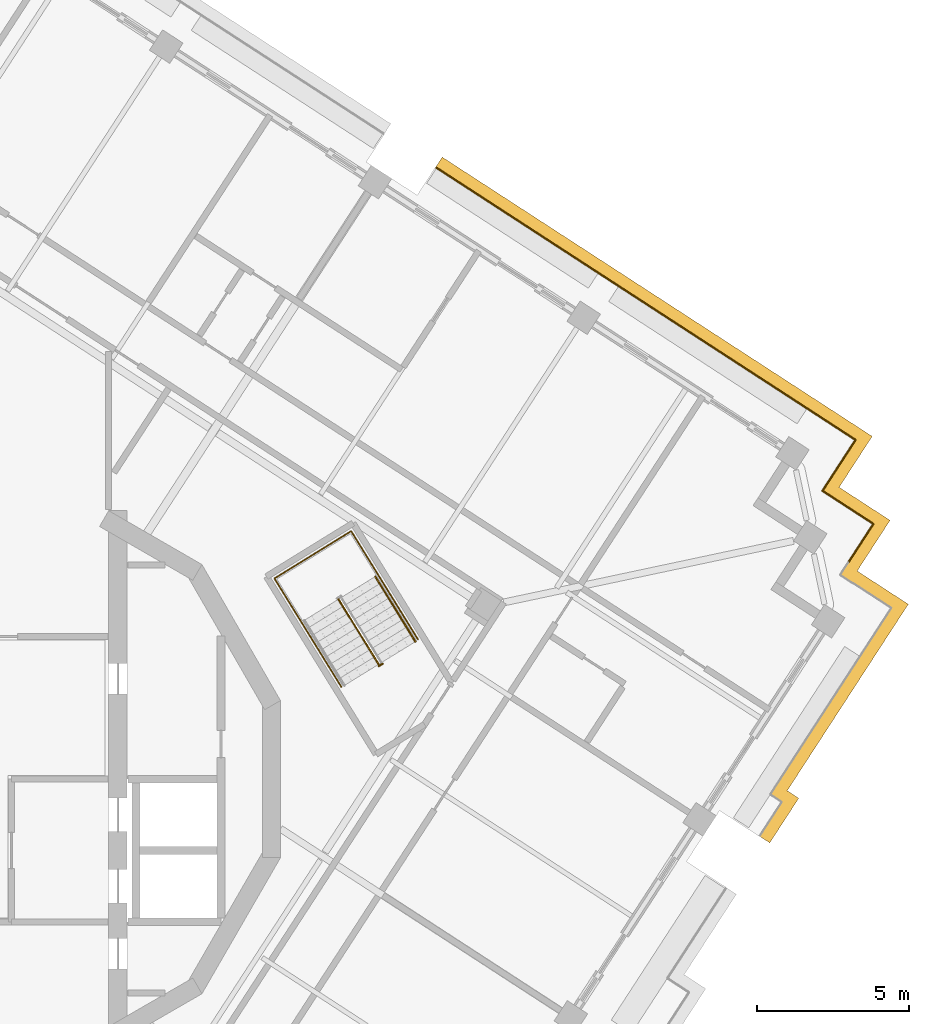
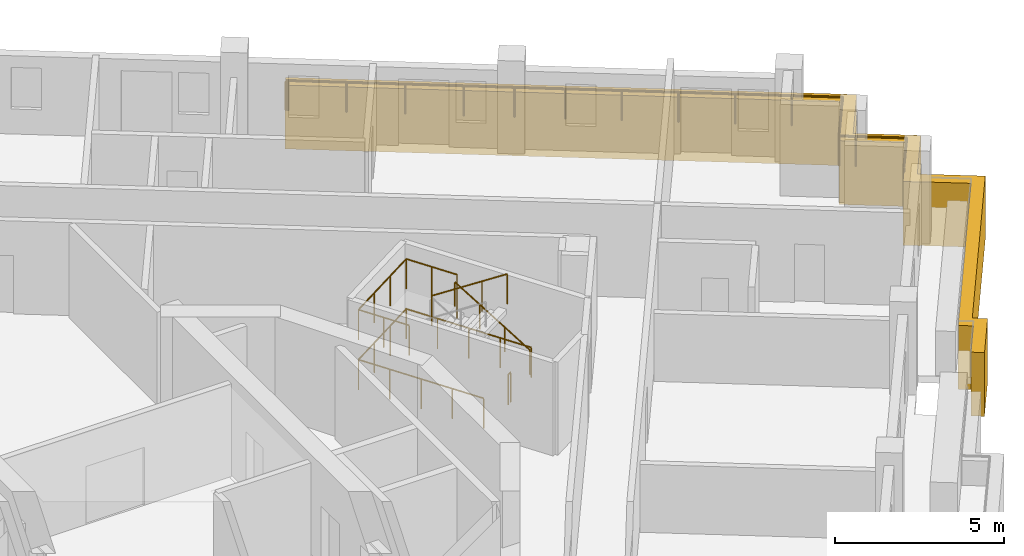
# One storey, part 14 of 15: 6 railings, 1 covering.
"""IFC4 building model written with IfcOpenShell, lengths in metres."""

from ifc_helpers import new_model, si_unit, direction, frame, origin, origin_2d, place, context, subcontext, project, spatial, polyline, circle, outline, extrude, material, type_object, element, save


model = new_model("IFC4")

# Units and contexts
model_context = context("Model", 3, precision=1e-05, world=origin(), true_north=direction((0.0, 1.0)))
body_context = subcontext(model_context, "Body", "Model", "MODEL_VIEW")
ifc_project = project(units=[si_unit("LENGTHUNIT", "METRE"), si_unit("AREAUNIT", "SQUARE_METRE"), si_unit("VOLUMEUNIT", "CUBIC_METRE"), si_unit("PLANEANGLEUNIT", "RADIAN"), si_unit("MASSUNIT", "GRAM", prefix="KILO")], contexts=[model_context])

# Site, building, storey
site_placement = place(None, origin())
site = spatial("IfcSite", under=ifc_project, at=site_placement, CompositionType="ELEMENT")
building_placement = place(site_placement, origin())
building = spatial("IfcBuilding", under=site, at=building_placement, Name="Cantera Rosa Tower", CompositionType="ELEMENT")
storey_placement = place(building_placement, frame((0.0, 0.0, 282.89990234375)))
storey = spatial("IfcBuildingStorey", under=building, at=storey_placement, Name="L64", CompositionType="ELEMENT", Elevation=282.89990234375)

# Railings
ifc_material_1 = material(Name="Stainless steel and laminated glass", Category="steel")
railing_type_1 = type_object("IfcRailingType", Name="GUARD 1100", PredefinedType="BALUSTRADE", material=ifc_material_1)
railing_1_placement = place(storey_placement, frame((14.7880859375, 20.14599609375, 0.0)))
element("IfcRailing", 1, at=railing_1_placement, inside=storey, type_object=railing_type_1, Name="GUARD L64-10", PredefinedType="BALUSTRADE", context=body_context, shape_type="SweptSolid", body=[
    extrude(circle(Radius=0.030029296875, at=origin_2d()), frame((0.0, 0.0, 1.070068359375), z_axis=(0.838443616301, -0.544988350595, 0.0), x_axis=(0.544988350595, 0.838443616301, 0.0)), (0.0, 0.0, 1.0), 0.06982421875),
    extrude(circle(Radius=0.030029296875, at=origin_2d()), frame((0.05859375, -0.0380859375, 1.070068359375), z_axis=(0.838657010828, -0.544659910576, 0.0), x_axis=(0.544659910576, 0.838657010828, 0.0)), (0.0, 0.0, 1.0), 5.2001953125),
    extrude(circle(Radius=0.030029296875, at=origin_2d()), frame((4.419677734375, -2.870361328125, 1.070068359375), z_axis=(0.8387001057, -0.544593548161, 0.0), x_axis=(0.544593548161, 0.8387001057, 0.0)), (0.0, 0.0, 1.0), 3.0),
    extrude(circle(Radius=0.030029296875, at=origin_2d()), frame((6.935791015625, -4.504150390625, 1.070068359375), z_axis=(0.838666659313, -0.544645053734, 0.0), x_axis=(0.544645053734, 0.838666659313, 0.0)), (0.0, 0.0, 1.0), 6.7001953125),
    extrude(circle(Radius=0.030029296875, at=origin_2d()), frame((12.554931640625, -8.1533203125, 1.070068359375), z_axis=(0.838651824232, -0.544667896716, 0.0), x_axis=(0.544667896716, 0.838651824232, 0.0)), (0.0, 0.0, 1.0), 1.499755859375),
    extrude(circle(Radius=0.030029296875, at=origin_2d()), frame((13.812744140625, -8.97021484375, 1.070068359375), z_axis=(-0.544593548161, -0.8387001057, 0.0), x_axis=(0.8387001057, -0.544593548161, 0.0)), (0.0, 0.0, 1.0), 1.5),
    extrude(circle(Radius=0.030029296875, at=origin_2d()), frame((12.995849609375, -10.228271484375, 1.070068359375), z_axis=(-0.544627753175, -0.83867789435, 0.0), x_axis=(0.83867789435, -0.544627753175, 0.0)), (0.0, 0.0, 1.0), 0.499755859375),
    extrude(circle(Radius=0.030029296875, at=origin_2d()), frame((12.7236328125, -10.6474609375, 1.070068359375), z_axis=(0.838454772945, -0.544971186143, 0.0), x_axis=(0.544971186143, 0.838454772945, 0.0)), (0.0, 0.0, 1.0), 0.5),
    extrude(circle(Radius=0.030029296875, at=origin_2d()), frame((13.142822265625, -10.919921875, 1.070068359375), z_axis=(0.8387001057, -0.544593548161, 0.0), x_axis=(0.544593548161, 0.8387001057, 0.0)), (0.0, 0.0, 1.0), 1.5),
    extrude(circle(Radius=0.030029296875, at=origin_2d()), frame((14.40087890625, -11.73681640625, 1.070068359375), z_axis=(-0.544593548161, -0.8387001057, 0.0), x_axis=(0.8387001057, -0.544593548161, 0.0)), (0.0, 0.0, 1.0), 1.5),
    extrude(circle(Radius=0.02490234375, at=origin_2d()), origin(), (0.0, 0.0, 1.0), 1.0400390625),
    extrude(circle(Radius=0.02490234375, at=origin_2d()), frame((0.05859375, -0.0380859375, 0.0)), (0.0, 0.0, 1.0), 1.0400390625),
    extrude(circle(Radius=0.02490234375, at=origin_2d()), frame((1.51220703125, -0.982177734375, 0.0)), (0.0, 0.0, 1.0), 1.0400390625),
    extrude(circle(Radius=0.02490234375, at=origin_2d()), frame((2.966064453125, -1.92626953125, 0.0)), (0.0, 0.0, 1.0), 1.0400390625),
    extrude(circle(Radius=0.02490234375, at=origin_2d()), frame((4.419677734375, -2.870361328125, 0.0)), (0.0, 0.0, 1.0), 1.0400390625),
    extrude(circle(Radius=0.02490234375, at=origin_2d()), frame((5.677734375, -3.687255859375, 0.0)), (0.0, 0.0, 1.0), 1.0400390625),
    extrude(circle(Radius=0.02490234375, at=origin_2d()), frame((6.935791015625, -4.504150390625, 0.0)), (0.0, 0.0, 1.0), 1.0400390625),
    extrude(circle(Radius=0.02490234375, at=origin_2d()), frame((8.340576171875, -5.41650390625, 0.0)), (0.0, 0.0, 1.0), 1.0400390625),
    extrude(circle(Radius=0.02490234375, at=origin_2d()), frame((9.745361328125, -6.32861328125, 0.0)), (0.0, 0.0, 1.0), 1.0400390625),
    extrude(circle(Radius=0.02490234375, at=origin_2d()), frame((11.150146484375, -7.240966796875, 0.0)), (0.0, 0.0, 1.0), 1.0400390625),
    extrude(circle(Radius=0.02490234375, at=origin_2d()), frame((12.554931640625, -8.1533203125, 0.0)), (0.0, 0.0, 1.0), 1.0400390625),
    extrude(circle(Radius=0.02490234375, at=origin_2d()), frame((13.812744140625, -8.97021484375, 0.0)), (0.0, 0.0, 1.0), 1.0400390625),
    extrude(circle(Radius=0.02490234375, at=origin_2d()), frame((12.995849609375, -10.228271484375, 0.0)), (0.0, 0.0, 1.0), 1.0400390625),
    extrude(circle(Radius=0.02490234375, at=origin_2d()), frame((12.7236328125, -10.6474609375, 0.0)), (0.0, 0.0, 1.0), 1.0400390625),
    extrude(circle(Radius=0.02490234375, at=origin_2d()), frame((13.142822265625, -10.919921875, 0.0)), (0.0, 0.0, 1.0), 1.0400390625),
    extrude(circle(Radius=0.02490234375, at=origin_2d()), frame((14.40087890625, -11.73681640625, 0.0)), (0.0, 0.0, 1.0), 1.0400390625),
    extrude(circle(Radius=0.02490234375, at=origin_2d()), frame((13.583984375, -12.994873046875, 0.0)), (0.0, 0.0, 1.0), 1.0400390625),
])
ifc_material_2 = material(Name="Steel S355J2 (EN 10025-2)", Category="steel")
railing_type_2 = type_object("IfcRailingType", Name="STAIR GUARD 1100", PredefinedType="GUARDRAIL", material=ifc_material_2)
railing_2_placement = place(storey_placement, frame((11.5703125, 5.927490234375, 1.97998046875)))
element("IfcRailing", 2, at=railing_2_placement, inside=storey, type_object=railing_type_2, Name="L64 ST-51 stair guard 2", PredefinedType="GUARDRAIL", context=body_context, shape_type="SweptSolid", body=[
    extrude(circle(Radius=0.02392578125, at=origin_2d()), frame((0.0, 0.0, 1.076171875), z_axis=(0.441609067481, -0.715913574058, 0.540785711718), x_axis=(0.851102330005, 0.524999832248, 0.0)), (0.0, 0.0, 1.0), 2.995849609375),
    extrude(circle(Radius=0.02099609375, at=origin_2d()), origin(), (0.0, 0.0, 1.0), 1.052001953125),
    extrude(circle(Radius=0.02099609375, at=origin_2d()), frame((0.44091796875, -0.71484375, 0.5400390625)), (0.0, 0.0, 1.0), 1.052001953125),
    extrude(circle(Radius=0.02099609375, at=origin_2d()), frame((0.882080078125, -1.429931640625, 1.080078125)), (0.0, 0.0, 1.0), 1.052001953125),
    extrude(circle(Radius=0.02099609375, at=origin_2d()), frame((1.322998046875, -2.144775390625, 1.6201171875)), (0.0, 0.0, 1.0), 1.052001953125),
])
railing_3_placement = place(storey_placement, frame((13.025146484375, 3.80517578125, 0.0)))
element("IfcRailing", 3, at=railing_3_placement, inside=storey, type_object=railing_type_2, Name="L64 ST-51 stair guard 3", PredefinedType="GUARDRAIL", context=body_context, shape_type="SweptSolid", body=[
    extrude(circle(Radius=0.02392578125, at=origin_2d()), frame((0.0, 0.0, 1.076171875), z_axis=(-0.851546489876, -0.524279100842, 0.0), x_axis=(0.524279100842, -0.851546489876, 0.0)), (0.0, 0.0, 1.0), 0.14990234375),
    extrude(circle(Radius=0.02099609375, at=origin_2d()), origin(), (0.0, 0.0, 1.0), 1.052001953125),
    extrude(circle(Radius=0.02099609375, at=origin_2d()), frame((-0.127685546875, -0.07861328125, 0.0)), (0.0, 0.0, 1.0), 1.052001953125),
])
railing_4_placement = place(storey_placement, frame((14.192626953125, 4.59814453125, 0.0)))
element("IfcRailing", 4, at=railing_4_placement, inside=storey, type_object=railing_type_2, Name="L64 ST-51 stair guard 4", PredefinedType="GUARDRAIL", context=body_context, shape_type="SweptSolid", body=[
    extrude(circle(Radius=0.02392578125, at=origin_2d()), frame((0.0, 0.0, 1.076171875), z_axis=(-0.524976478809, 0.851116735059, 0.0), x_axis=(-0.851116735059, -0.524976478809, 0.0)), (0.0, 0.0, 1.0), 4.197998046875),
    extrude(circle(Radius=0.02392578125, at=origin_2d()), frame((-2.203857421875, 3.572998046875, 1.076171875), z_axis=(-0.851132917336, -0.524950242429, 0.0), x_axis=(0.524950242429, -0.851132917336, 0.0)), (0.0, 0.0, 1.0), 2.969970703125),
    extrude(circle(Radius=0.02392578125, at=origin_2d()), frame((-4.731689453125, 2.013916015625, 1.076171875), z_axis=(0.524976478809, -0.851116735059, 0.0), x_axis=(0.851116735059, 0.524976478809, 0.0)), (0.0, 0.0, 1.0), 4.197998046875),
    extrude(circle(Radius=0.02099609375, at=origin_2d()), origin(), (0.0, 0.0, 1.0), 1.052001953125),
    extrude(circle(Radius=0.02099609375, at=origin_2d()), frame((-0.551025390625, 0.893310546875, 0.0)), (0.0, 0.0, 1.0), 1.052001953125),
    extrude(circle(Radius=0.02099609375, at=origin_2d()), frame((-1.10205078125, 1.78662109375, 0.0)), (0.0, 0.0, 1.0), 1.052001953125),
    extrude(circle(Radius=0.02099609375, at=origin_2d()), frame((-1.65283203125, 2.6796875, 0.0)), (0.0, 0.0, 1.0), 1.052001953125),
    extrude(circle(Radius=0.02099609375, at=origin_2d()), frame((-2.203857421875, 3.572998046875, 0.0)), (0.0, 0.0, 1.0), 1.052001953125),
    extrude(circle(Radius=0.02099609375, at=origin_2d()), frame((-3.04638671875, 3.05322265625, 0.0)), (0.0, 0.0, 1.0), 1.052001953125),
    extrude(circle(Radius=0.02099609375, at=origin_2d()), frame((-3.88916015625, 2.53369140625, 0.0)), (0.0, 0.0, 1.0), 1.052001953125),
    extrude(circle(Radius=0.02099609375, at=origin_2d()), frame((-4.731689453125, 2.013916015625, 0.0)), (0.0, 0.0, 1.0), 1.052001953125),
    extrude(circle(Radius=0.02099609375, at=origin_2d()), frame((-4.1806640625, 1.12060546875, 0.0)), (0.0, 0.0, 1.0), 1.052001953125),
    extrude(circle(Radius=0.02099609375, at=origin_2d()), frame((-3.6298828125, 0.2275390625, 0.0)), (0.0, 0.0, 1.0), 1.052001953125),
    extrude(circle(Radius=0.02099609375, at=origin_2d()), frame((-3.078857421875, -0.665771484375, 0.0)), (0.0, 0.0, 1.0), 1.052001953125),
    extrude(circle(Radius=0.02099609375, at=origin_2d()), frame((-2.52783203125, -1.55908203125, 0.0)), (0.0, 0.0, 1.0), 1.052001953125),
])
railing_5_placement = place(storey_placement, frame((12.88232421875, 6.72265625, 1.800048828125)))
element("IfcRailing", 5, at=railing_5_placement, inside=storey, type_object=railing_type_2, Name="L64 ST-51 stair guard 5", PredefinedType="GUARDRAIL", context=body_context, shape_type="SweptSolid", body=[
    extrude(circle(Radius=0.02392578125, at=origin_2d()), frame((0.0, 0.0, 1.076171875), z_axis=(-0.525025534833, 0.851086474909, 0.0), x_axis=(-0.851086474909, -0.525025534833, 0.0)), (0.0, 0.0, 1.0), 1.701904296875),
    extrude(circle(Radius=0.02392578125, at=origin_2d()), frame((-0.8935546875, 1.448486328125, 1.076171875), z_axis=(-0.851132917336, -0.524950242429, 0.0), x_axis=(0.524950242429, -0.851132917336, 0.0)), (0.0, 0.0, 1.0), 2.969970703125),
    extrude(circle(Radius=0.02392578125, at=origin_2d()), frame((-3.42138671875, -0.110595703125, 1.076171875), z_axis=(0.524961441845, -0.851126009811, 0.0), x_axis=(0.851126009811, 0.524961441845, 0.0)), (0.0, 0.0, 1.0), 1.7021484375),
    extrude(circle(Radius=0.02099609375, at=origin_2d()), origin(), (0.0, 0.0, 1.0), 1.052001953125),
    extrude(circle(Radius=0.02099609375, at=origin_2d()), frame((-0.44677734375, 0.72412109375, 0.0)), (0.0, 0.0, 1.0), 1.052001953125),
    extrude(circle(Radius=0.02099609375, at=origin_2d()), frame((-0.8935546875, 1.448486328125, 0.0)), (0.0, 0.0, 1.0), 1.052001953125),
    extrude(circle(Radius=0.02099609375, at=origin_2d()), frame((-1.736083984375, 0.9287109375, 0.0)), (0.0, 0.0, 1.0), 1.052001953125),
    extrude(circle(Radius=0.02099609375, at=origin_2d()), frame((-2.578857421875, 0.4091796875, 0.0)), (0.0, 0.0, 1.0), 1.052001953125),
    extrude(circle(Radius=0.02099609375, at=origin_2d()), frame((-3.42138671875, -0.110595703125, 0.0)), (0.0, 0.0, 1.0), 1.052001953125),
    extrude(circle(Radius=0.02099609375, at=origin_2d()), frame((-2.974609375, -0.8349609375, 0.0)), (0.0, 0.0, 1.0), 1.052001953125),
    extrude(circle(Radius=0.02099609375, at=origin_2d()), frame((-2.52783203125, -1.559326171875, 0.0)), (0.0, 0.0, 1.0), 1.052001953125),
])
ifc_material_3 = material(Name="Steel S355J2 (EN 10025-2)", Category="steel")
railing_type_3 = type_object("IfcRailingType", Name="STAIR HANDRAIL 900", PredefinedType="HANDRAIL", material=ifc_material_3)
railing_6_placement = place(storey_placement, frame((14.105224609375, 4.5302734375, 0.18017578125)))
element("IfcRailing", 6, at=railing_6_placement, inside=storey, type_object=railing_type_3, Name="L64 ST-51 stair handrail 1", PredefinedType="HANDRAIL", context=body_context, shape_type="SweptSolid", body=[
    extrude(circle(Radius=0.02392578125, at=origin_2d()), frame((0.0, 0.0, 0.8759765625), z_axis=(-0.441628529057, 0.715945124149, 0.540728047664), x_axis=(-0.851102330005, -0.524999832248, 0.0)), (0.0, 0.0, 1.0), 2.99560546875),
    extrude(circle(Radius=0.02099609375, at=origin_2d()), origin(), (0.0, 0.0, 1.0), 0.851806640625),
    extrude(circle(Radius=0.02099609375, at=origin_2d()), frame((-0.44091796875, 0.71484375, 0.5400390625)), (0.0, 0.0, 1.0), 0.851806640625),
    extrude(circle(Radius=0.02099609375, at=origin_2d()), frame((-0.882080078125, 1.429931640625, 1.079833984375)), (0.0, 0.0, 1.0), 0.851806640625),
    extrude(circle(Radius=0.02099609375, at=origin_2d()), frame((-1.322998046875, 2.144775390625, 1.619873046875)), (0.0, 0.0, 1.0), 0.851806640625),
])

# Covering
ifc_material_4 = material(Name="Cantera stone", Category="masonry")
covering_type = type_object("IfcCoveringType", Name="TRAY FASCIA 400", PredefinedType="CLADDING", material=ifc_material_4)
covering_placement = place(storey_placement, frame((0.0, 0.0, -1.39990234375)))
element("IfcCovering", 7, at=covering_placement, inside=storey, type_object=covering_type, Name="TRAY FASCIA L64-04", PredefinedType="CLADDING", context=body_context, shape_type="SweptSolid", body=[
    extrude(outline(polyline([(15.064697265625, 20.443359375), (19.42578125, 17.611328125), (21.941650390625, 15.977294921875), (27.560791015625, 12.328125), (29.154296875, 11.29345703125), (28.119384765625, 9.699951171875), (28.06494140625, 9.615966796875), (28.14892578125, 9.5615234375), (29.742431640625, 8.52685546875), (28.70751953125, 6.933349609375), (28.65869140625, 6.85791015625), (30.344482421875, 5.76318359375), (26.35400390625, -0.381591796875), (26.734130859375, -0.62841796875), (25.779052734375, -2.098876953125), (25.443603515625, -1.881103515625), (26.180908203125, -0.74609375), (25.80078125, -0.499267578125), (29.791015625, 5.6455078125), (28.524658203125, 6.468017578125), (28.51904296875, 6.45947265625), (28.099853515625, 6.73193359375), (28.3720703125, 7.151123046875), (29.18896484375, 8.4091796875), (27.930908203125, 9.22607421875), (27.51171875, 9.49853515625), (27.783935546875, 9.917724609375), (28.600830078125, 11.17578125), (27.343017578125, 11.99267578125), (21.723876953125, 15.641845703125), (19.207763671875, 17.275634765625), (14.8466796875, 20.10791015625), (14.771240234375, 20.156982421875), (14.989013671875, 20.492431640625), (15.064697265625, 20.443359375)])), origin(), (0.0, 0.0, 1.0), 2.300048828125),
])

save(model, "model.ifc")
